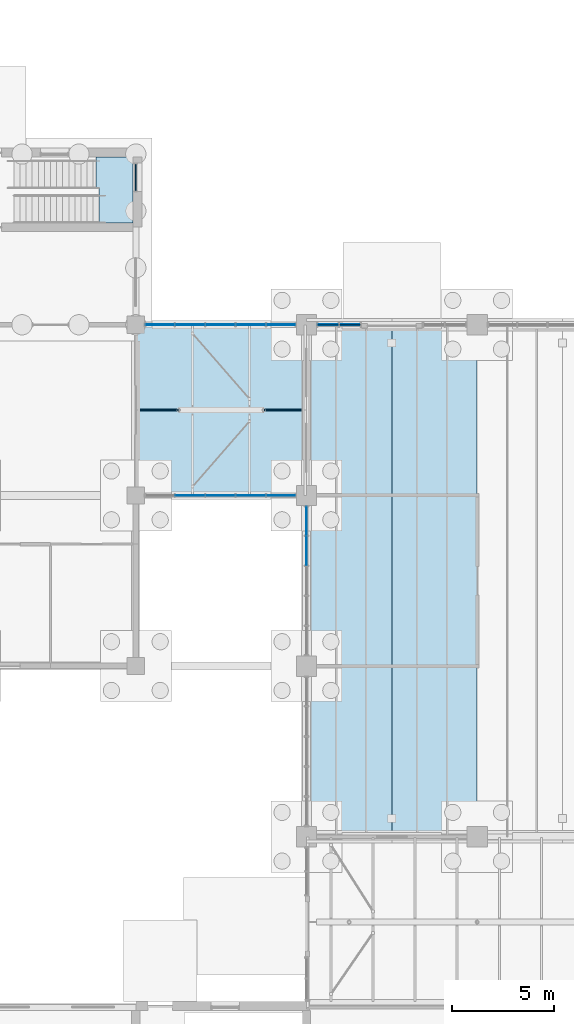
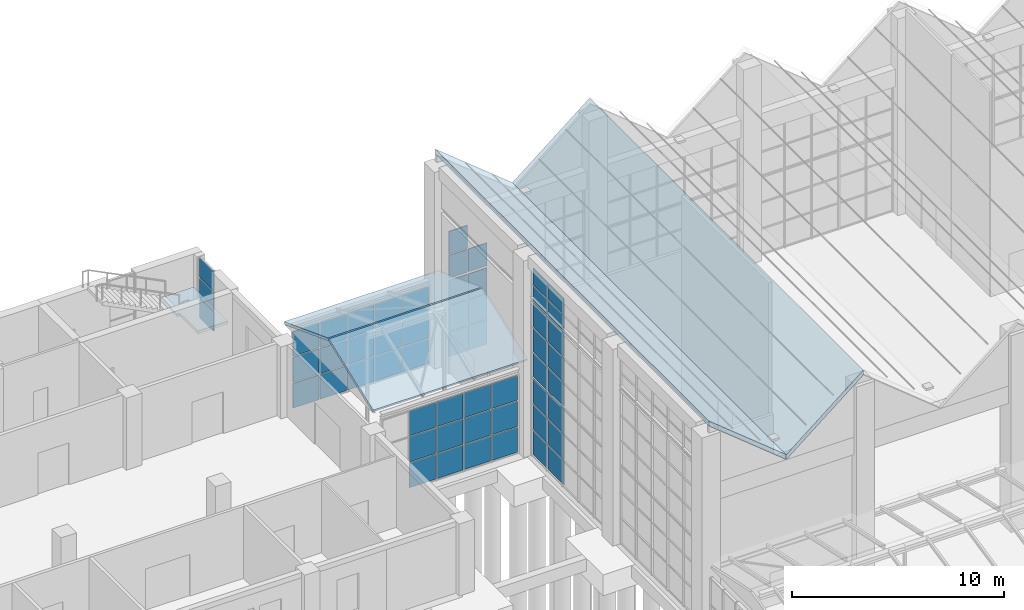
# One storey, part 83 of 138: 55 plates, 5 slabs, 9 elements without a shape of their own.
"""IFC4 building model written with IfcOpenShell, lengths in metres."""

from ifc_helpers import new_model, si_unit, direction, frame, origin, origin_2d, place, context, subcontext, project, spatial, polyline, rectangle, outline, extrude, material, layer, layer_set, type_object, element, aggregate, save


model = new_model("IFC4")

# Units and contexts
model_context = context("Model", 3, precision=1e-05, world=origin(), true_north=direction((0.0, 1.0)))
body_context = subcontext(model_context, "Body", "Model", "MODEL_VIEW")
ifc_project = project(units=[si_unit("LENGTHUNIT", "METRE"), si_unit("AREAUNIT", "SQUARE_METRE"), si_unit("VOLUMEUNIT", "CUBIC_METRE"), si_unit("PLANEANGLEUNIT", "RADIAN"), si_unit("MASSUNIT", "GRAM", prefix="KILO")], contexts=[model_context])

# Site, building, storey
site_placement = place(None, origin())
site = spatial("IfcSite", under=ifc_project, at=site_placement, CompositionType="ELEMENT")
building_placement = place(site_placement, origin())
building = spatial("IfcBuilding", under=site, at=building_placement, Name="Yavir Park General Hospital", CompositionType="ELEMENT")
storey_placement = place(building_placement, origin())
storey = spatial("IfcBuildingStorey", under=building, at=storey_placement, Name="L00", CompositionType="ELEMENT", Elevation=0.0)

# Curtain wall, plates
ifc_material_1 = material(Name="Aluminium curtain wall frame with insulated glazing", Category="aluminium")
curtain_wall_type_1 = type_object("IfcCurtainWallType", Name="Glazed link walls, 4525 high, 1400 module", PredefinedType="NOTDEFINED", material=ifc_material_1)
curtain_wall_1_placement = place(storey_placement, origin())
curtain_wall_1 = element("IfcCurtainWall", 1, at=curtain_wall_1_placement, inside=storey, type_object=curtain_wall_type_1, Name="CW38 L00-017", PredefinedType="NOTDEFINED")
ifc_material_2 = material(Name="Solar-control insulated glazed unit 40 mm")
ifc_layer_1 = layer(ifc_material_2, 0.0400390625)
ifc_layer_set_1 = layer_set([ifc_layer_1], Name="Solar-control insulated glazed unit 40 mm")
plate_type_1 = type_object("IfcPlateType", Name="Glazed link walls, 4525 high panel 40", PredefinedType="CURTAIN_PANEL", material=ifc_layer_set_1)
plate_1_placement = place(storey_placement, frame((69.867431640625, 58.800048828125, 0.06005859375), z_axis=(0.0, 0.0, 1.0), x_axis=(1.0, 0.0, 0.0)))
plate_1 = element("IfcPlate", 2, at=plate_1_placement, type_object=plate_type_1, Name="CW38 panel 2.1", PredefinedType="CURTAIN_PANEL", context=body_context, shape_type="SweptSolid", body=[
    extrude(rectangle(XDim=1.43505859375, YDim=0.0400390625, at=origin_2d()), origin(), (0.0, 0.0, 1.0), 1.418212890625),
])
plate_2_placement = place(storey_placement, frame((69.867431640625, 58.800048828125, 1.538330078125), z_axis=(0.0, 0.0, 1.0), x_axis=(1.0, 0.0, 0.0)))
plate_2 = element("IfcPlate", 3, at=plate_2_placement, type_object=plate_type_1, Name="CW38 panel 2.2", PredefinedType="CURTAIN_PANEL", context=body_context, shape_type="SweptSolid", body=[
    extrude(rectangle(XDim=1.43505859375, YDim=0.0400390625, at=origin_2d()), origin(), (0.0, 0.0, 1.0), 1.4482421875),
])
plate_3_placement = place(storey_placement, frame((69.867431640625, 58.800048828125, 3.046875), z_axis=(0.0, 0.0, 1.0), x_axis=(1.0, 0.0, 0.0)))
plate_3 = element("IfcPlate", 4, at=plate_3_placement, type_object=plate_type_1, Name="CW38 panel 2.3", PredefinedType="CURTAIN_PANEL", context=body_context, shape_type="SweptSolid", body=[
    extrude(rectangle(XDim=1.43505859375, YDim=0.0400390625, at=origin_2d()), origin(), (0.0, 0.0, 1.0), 1.418212890625),
])
plate_4_placement = place(storey_placement, frame((71.362548828125, 58.800048828125, 0.06005859375), z_axis=(0.0, 0.0, 1.0), x_axis=(1.0, 0.0, 0.0)))
plate_4 = element("IfcPlate", 5, at=plate_4_placement, type_object=plate_type_1, Name="CW38 panel 3.1", PredefinedType="CURTAIN_PANEL", context=body_context, shape_type="SweptSolid", body=[
    extrude(rectangle(XDim=1.43505859375, YDim=0.0400390625, at=origin_2d()), origin(), (0.0, 0.0, 1.0), 1.418212890625),
])
plate_5_placement = place(storey_placement, frame((71.362548828125, 58.800048828125, 1.538330078125), z_axis=(0.0, 0.0, 1.0), x_axis=(1.0, 0.0, 0.0)))
plate_5 = element("IfcPlate", 6, at=plate_5_placement, type_object=plate_type_1, Name="CW38 panel 3.2", PredefinedType="CURTAIN_PANEL", context=body_context, shape_type="SweptSolid", body=[
    extrude(rectangle(XDim=1.43505859375, YDim=0.0400390625, at=origin_2d()), origin(), (0.0, 0.0, 1.0), 1.4482421875),
])
plate_6_placement = place(storey_placement, frame((71.362548828125, 58.800048828125, 3.046875), z_axis=(0.0, 0.0, 1.0), x_axis=(1.0, 0.0, 0.0)))
plate_6 = element("IfcPlate", 7, at=plate_6_placement, type_object=plate_type_1, Name="CW38 panel 3.3", PredefinedType="CURTAIN_PANEL", context=body_context, shape_type="SweptSolid", body=[
    extrude(rectangle(XDim=1.43505859375, YDim=0.0400390625, at=origin_2d()), origin(), (0.0, 0.0, 1.0), 1.418212890625),
])
plate_7_placement = place(storey_placement, frame((72.857421875, 58.800048828125, 0.06005859375), z_axis=(0.0, 0.0, 1.0), x_axis=(1.0, 0.0, 0.0)))
plate_7 = element("IfcPlate", 8, at=plate_7_placement, type_object=plate_type_1, Name="CW38 panel 4.1", PredefinedType="CURTAIN_PANEL", context=body_context, shape_type="SweptSolid", body=[
    extrude(rectangle(XDim=1.43505859375, YDim=0.0400390625, at=origin_2d()), origin(), (0.0, 0.0, 1.0), 1.418212890625),
])
plate_8_placement = place(storey_placement, frame((72.857421875, 58.800048828125, 1.538330078125), z_axis=(0.0, 0.0, 1.0), x_axis=(1.0, 0.0, 0.0)))
plate_8 = element("IfcPlate", 9, at=plate_8_placement, type_object=plate_type_1, Name="CW38 panel 4.2", PredefinedType="CURTAIN_PANEL", context=body_context, shape_type="SweptSolid", body=[
    extrude(rectangle(XDim=1.43505859375, YDim=0.0400390625, at=origin_2d()), origin(), (0.0, 0.0, 1.0), 1.4482421875),
])
plate_9_placement = place(storey_placement, frame((72.857421875, 58.800048828125, 3.046875), z_axis=(0.0, 0.0, 1.0), x_axis=(1.0, 0.0, 0.0)))
plate_9 = element("IfcPlate", 10, at=plate_9_placement, type_object=plate_type_1, Name="CW38 panel 4.3", PredefinedType="CURTAIN_PANEL", context=body_context, shape_type="SweptSolid", body=[
    extrude(rectangle(XDim=1.43505859375, YDim=0.0400390625, at=origin_2d()), origin(), (0.0, 0.0, 1.0), 1.418212890625),
])
plate_10_placement = place(storey_placement, frame((74.33740234375, 58.800048828125, 0.06005859375), z_axis=(0.0, 0.0, 1.0), x_axis=(1.0, 0.0, 0.0)))
plate_10 = element("IfcPlate", 11, at=plate_10_placement, type_object=plate_type_1, Name="CW38 panel 5.1", PredefinedType="CURTAIN_PANEL", context=body_context, shape_type="SweptSolid", body=[
    extrude(rectangle(XDim=1.405029296875, YDim=0.0400390625, at=origin_2d()), origin(), (0.0, 0.0, 1.0), 1.418212890625),
])
plate_11_placement = place(storey_placement, frame((74.33740234375, 58.800048828125, 1.538330078125), z_axis=(0.0, 0.0, 1.0), x_axis=(1.0, 0.0, 0.0)))
plate_11 = element("IfcPlate", 12, at=plate_11_placement, type_object=plate_type_1, Name="CW38 panel 5.2", PredefinedType="CURTAIN_PANEL", context=body_context, shape_type="SweptSolid", body=[
    extrude(rectangle(XDim=1.405029296875, YDim=0.0400390625, at=origin_2d()), origin(), (0.0, 0.0, 1.0), 1.4482421875),
])
plate_12_placement = place(storey_placement, frame((74.33740234375, 58.800048828125, 3.046875), z_axis=(0.0, 0.0, 1.0), x_axis=(1.0, 0.0, 0.0)))
plate_12 = element("IfcPlate", 13, at=plate_12_placement, type_object=plate_type_1, Name="CW38 panel 5.3", PredefinedType="CURTAIN_PANEL", context=body_context, shape_type="SweptSolid", body=[
    extrude(rectangle(XDim=1.405029296875, YDim=0.0400390625, at=origin_2d()), origin(), (0.0, 0.0, 1.0), 1.418212890625),
])
aggregate(curtain_wall_1, [plate_1, plate_2, plate_3, plate_4, plate_5, plate_6, plate_7, plate_8, plate_9, plate_10, plate_11, plate_12])

curtain_wall_2_placement = place(storey_placement, origin())
curtain_wall_2 = element("IfcCurtainWall", 14, at=curtain_wall_2_placement, inside=storey, type_object=curtain_wall_type_1, Name="CW38 L00-022", PredefinedType="NOTDEFINED")
plate_13_placement = place(storey_placement, frame((68.387451171875, 67.199951171875, 0.06005859375), z_axis=(0.0, 0.0, 1.0), x_axis=(1.0, 0.0, 0.0)))
plate_13 = element("IfcPlate", 15, at=plate_13_placement, type_object=plate_type_1, Name="CW38 panel 1.1", PredefinedType="CURTAIN_PANEL", context=body_context, shape_type="SweptSolid", body=[
    extrude(rectangle(XDim=1.405029296875, YDim=0.0400390625, at=origin_2d()), origin(), (0.0, 0.0, 1.0), 1.418212890625),
])
plate_14_placement = place(storey_placement, frame((68.387451171875, 67.199951171875, 1.538330078125), z_axis=(0.0, 0.0, 1.0), x_axis=(1.0, 0.0, 0.0)))
plate_14 = element("IfcPlate", 16, at=plate_14_placement, type_object=plate_type_1, Name="CW38 panel 1.2", PredefinedType="CURTAIN_PANEL", context=body_context, shape_type="SweptSolid", body=[
    extrude(rectangle(XDim=1.405029296875, YDim=0.0400390625, at=origin_2d()), origin(), (0.0, 0.0, 1.0), 1.4482421875),
])
plate_15_placement = place(storey_placement, frame((68.387451171875, 67.199951171875, 3.046875), z_axis=(0.0, 0.0, 1.0), x_axis=(1.0, 0.0, 0.0)))
plate_15 = element("IfcPlate", 17, at=plate_15_placement, type_object=plate_type_1, Name="CW38 panel 1.3", PredefinedType="CURTAIN_PANEL", context=body_context, shape_type="SweptSolid", body=[
    extrude(rectangle(XDim=1.405029296875, YDim=0.0400390625, at=origin_2d()), origin(), (0.0, 0.0, 1.0), 1.418212890625),
])
plate_16_placement = place(storey_placement, frame((69.867431640625, 67.199951171875, 0.06005859375), z_axis=(0.0, 0.0, 1.0), x_axis=(1.0, 0.0, 0.0)))
plate_16 = element("IfcPlate", 18, at=plate_16_placement, type_object=plate_type_1, Name="CW38 panel 2.1", PredefinedType="CURTAIN_PANEL", context=body_context, shape_type="SweptSolid", body=[
    extrude(rectangle(XDim=1.43505859375, YDim=0.0400390625, at=origin_2d()), origin(), (0.0, 0.0, 1.0), 1.418212890625),
])
plate_17_placement = place(storey_placement, frame((69.867431640625, 67.199951171875, 1.538330078125), z_axis=(0.0, 0.0, 1.0), x_axis=(1.0, 0.0, 0.0)))
plate_17 = element("IfcPlate", 19, at=plate_17_placement, type_object=plate_type_1, Name="CW38 panel 2.2", PredefinedType="CURTAIN_PANEL", context=body_context, shape_type="SweptSolid", body=[
    extrude(rectangle(XDim=1.43505859375, YDim=0.0400390625, at=origin_2d()), origin(), (0.0, 0.0, 1.0), 1.4482421875),
])
plate_18_placement = place(storey_placement, frame((69.867431640625, 67.199951171875, 3.046875), z_axis=(0.0, 0.0, 1.0), x_axis=(1.0, 0.0, 0.0)))
plate_18 = element("IfcPlate", 20, at=plate_18_placement, type_object=plate_type_1, Name="CW38 panel 2.3", PredefinedType="CURTAIN_PANEL", context=body_context, shape_type="SweptSolid", body=[
    extrude(rectangle(XDim=1.43505859375, YDim=0.0400390625, at=origin_2d()), origin(), (0.0, 0.0, 1.0), 1.418212890625),
])
plate_19_placement = place(storey_placement, frame((71.362548828125, 67.199951171875, 0.06005859375), z_axis=(0.0, 0.0, 1.0), x_axis=(1.0, 0.0, 0.0)))
plate_19 = element("IfcPlate", 21, at=plate_19_placement, type_object=plate_type_1, Name="CW38 panel 3.1", PredefinedType="CURTAIN_PANEL", context=body_context, shape_type="SweptSolid", body=[
    extrude(rectangle(XDim=1.43505859375, YDim=0.0400390625, at=origin_2d()), origin(), (0.0, 0.0, 1.0), 1.418212890625),
])
plate_20_placement = place(storey_placement, frame((71.362548828125, 67.199951171875, 1.538330078125), z_axis=(0.0, 0.0, 1.0), x_axis=(1.0, 0.0, 0.0)))
plate_20 = element("IfcPlate", 22, at=plate_20_placement, type_object=plate_type_1, Name="CW38 panel 3.2", PredefinedType="CURTAIN_PANEL", context=body_context, shape_type="SweptSolid", body=[
    extrude(rectangle(XDim=1.43505859375, YDim=0.0400390625, at=origin_2d()), origin(), (0.0, 0.0, 1.0), 1.4482421875),
])
plate_21_placement = place(storey_placement, frame((71.362548828125, 67.199951171875, 3.046875), z_axis=(0.0, 0.0, 1.0), x_axis=(1.0, 0.0, 0.0)))
plate_21 = element("IfcPlate", 23, at=plate_21_placement, type_object=plate_type_1, Name="CW38 panel 3.3", PredefinedType="CURTAIN_PANEL", context=body_context, shape_type="SweptSolid", body=[
    extrude(rectangle(XDim=1.43505859375, YDim=0.0400390625, at=origin_2d()), origin(), (0.0, 0.0, 1.0), 1.418212890625),
])
plate_22_placement = place(storey_placement, frame((72.857421875, 67.199951171875, 0.06005859375), z_axis=(0.0, 0.0, 1.0), x_axis=(1.0, 0.0, 0.0)))
plate_22 = element("IfcPlate", 24, at=plate_22_placement, type_object=plate_type_1, Name="CW38 panel 4.1", PredefinedType="CURTAIN_PANEL", context=body_context, shape_type="SweptSolid", body=[
    extrude(rectangle(XDim=1.43505859375, YDim=0.0400390625, at=origin_2d()), origin(), (0.0, 0.0, 1.0), 1.418212890625),
])
plate_23_placement = place(storey_placement, frame((72.857421875, 67.199951171875, 1.538330078125), z_axis=(0.0, 0.0, 1.0), x_axis=(1.0, 0.0, 0.0)))
plate_23 = element("IfcPlate", 25, at=plate_23_placement, type_object=plate_type_1, Name="CW38 panel 4.2", PredefinedType="CURTAIN_PANEL", context=body_context, shape_type="SweptSolid", body=[
    extrude(rectangle(XDim=1.43505859375, YDim=0.0400390625, at=origin_2d()), origin(), (0.0, 0.0, 1.0), 1.4482421875),
])
plate_24_placement = place(storey_placement, frame((72.857421875, 67.199951171875, 3.046875), z_axis=(0.0, 0.0, 1.0), x_axis=(1.0, 0.0, 0.0)))
plate_24 = element("IfcPlate", 26, at=plate_24_placement, type_object=plate_type_1, Name="CW38 panel 4.3", PredefinedType="CURTAIN_PANEL", context=body_context, shape_type="SweptSolid", body=[
    extrude(rectangle(XDim=1.43505859375, YDim=0.0400390625, at=origin_2d()), origin(), (0.0, 0.0, 1.0), 1.418212890625),
])
plate_25_placement = place(storey_placement, frame((74.33740234375, 67.199951171875, 0.06005859375), z_axis=(0.0, 0.0, 1.0), x_axis=(1.0, 0.0, 0.0)))
plate_25 = element("IfcPlate", 27, at=plate_25_placement, type_object=plate_type_1, Name="CW38 panel 5.1", PredefinedType="CURTAIN_PANEL", context=body_context, shape_type="SweptSolid", body=[
    extrude(rectangle(XDim=1.405029296875, YDim=0.0400390625, at=origin_2d()), origin(), (0.0, 0.0, 1.0), 1.418212890625),
])
plate_26_placement = place(storey_placement, frame((74.33740234375, 67.199951171875, 1.538330078125), z_axis=(0.0, 0.0, 1.0), x_axis=(1.0, 0.0, 0.0)))
plate_26 = element("IfcPlate", 28, at=plate_26_placement, type_object=plate_type_1, Name="CW38 panel 5.2", PredefinedType="CURTAIN_PANEL", context=body_context, shape_type="SweptSolid", body=[
    extrude(rectangle(XDim=1.405029296875, YDim=0.0400390625, at=origin_2d()), origin(), (0.0, 0.0, 1.0), 1.4482421875),
])
plate_27_placement = place(storey_placement, frame((74.33740234375, 67.199951171875, 3.046875), z_axis=(0.0, 0.0, 1.0), x_axis=(1.0, 0.0, 0.0)))
plate_27 = element("IfcPlate", 29, at=plate_27_placement, type_object=plate_type_1, Name="CW38 panel 5.3", PredefinedType="CURTAIN_PANEL", context=body_context, shape_type="SweptSolid", body=[
    extrude(rectangle(XDim=1.405029296875, YDim=0.0400390625, at=origin_2d()), origin(), (0.0, 0.0, 1.0), 1.418212890625),
])
aggregate(curtain_wall_2, [plate_13, plate_14, plate_15, plate_16, plate_17, plate_18, plate_19, plate_20, plate_21, plate_22, plate_23, plate_24, plate_25, plate_26, plate_27])

ifc_material_3 = material(Name="Aluminium curtain wall frame with insulated glazing", Category="aluminium")
curtain_wall_type_2 = type_object("IfcCurtainWallType", Name="Main hall glazing, clerestory band, 1970 high, 1400 module", PredefinedType="NOTDEFINED", material=ifc_material_3)
curtain_wall_3_placement = place(storey_placement, origin())
curtain_wall_3 = element("IfcCurtainWall", 30, at=curtain_wall_3_placement, inside=storey, type_object=curtain_wall_type_2, Name="CW35 L00-055", PredefinedType="NOTDEFINED")
ifc_material_4 = material(Name="Insulated glazed unit 30 mm, low-e coating")
ifc_layer_2 = layer(ifc_material_4, 0.0400390625)
ifc_layer_set_2 = layer_set([ifc_layer_2], Name="Insulated glazed unit 30 mm, low-e coating")
plate_type_2 = type_object("IfcPlateType", Name="Main hall glazing, clerestory band, 1970 high panel 40", PredefinedType="CURTAIN_PANEL", material=ifc_layer_set_2)
plate_28_placement = place(storey_placement, frame((75.60009765625, 56.080078125, 8.89501953125), z_axis=(0.0, 0.0, 1.0), x_axis=(0.0, 1.0, 0.0)))
plate_28 = element("IfcPlate", 31, at=plate_28_placement, type_object=plate_type_2, Name="CW35 panel 4.1", PredefinedType="CURTAIN_PANEL", context=body_context, shape_type="SweptSolid", body=[
    extrude(rectangle(XDim=1.429931640625, YDim=0.0400390625, at=origin_2d()), origin(), (0.0, 0.0, 1.0), 0.909912109375),
])
plate_29_placement = place(storey_placement, frame((75.60009765625, 56.080078125, 9.85498046875), z_axis=(0.0, 0.0, 1.0), x_axis=(0.0, 1.0, 0.0)))
plate_29 = element("IfcPlate", 32, at=plate_29_placement, type_object=plate_type_2, Name="CW35 panel 4.2", PredefinedType="CURTAIN_PANEL", context=body_context, shape_type="SweptSolid", body=[
    extrude(rectangle(XDim=1.429931640625, YDim=0.0400390625, at=origin_2d()), origin(), (0.0, 0.0, 1.0), 0.909912109375),
])
plate_30_placement = place(storey_placement, frame((75.60009765625, 57.547607421875, 8.89501953125), z_axis=(0.0, 0.0, 1.0), x_axis=(0.0, 1.0, 0.0)))
plate_30 = element("IfcPlate", 33, at=plate_30_placement, type_object=plate_type_2, Name="CW35 panel 5.1", PredefinedType="CURTAIN_PANEL", context=body_context, shape_type="SweptSolid", body=[
    extrude(rectangle(XDim=1.405029296875, YDim=0.0400390625, at=origin_2d()), origin(), (0.0, 0.0, 1.0), 0.909912109375),
])
plate_31_placement = place(storey_placement, frame((75.60009765625, 57.547607421875, 9.85498046875), z_axis=(0.0, 0.0, 1.0), x_axis=(0.0, 1.0, 0.0)))
plate_31 = element("IfcPlate", 34, at=plate_31_placement, type_object=plate_type_2, Name="CW35 panel 5.2", PredefinedType="CURTAIN_PANEL", context=body_context, shape_type="SweptSolid", body=[
    extrude(rectangle(XDim=1.405029296875, YDim=0.0400390625, at=origin_2d()), origin(), (0.0, 0.0, 1.0), 0.909912109375),
])
aggregate(curtain_wall_3, [plate_28, plate_29, plate_30, plate_31])

ifc_material_5 = material(Name="Aluminium curtain wall frame with insulated glazing", Category="aluminium")
curtain_wall_type_3 = type_object("IfcCurtainWallType", Name="Main hall glazing, lower band, 4500 high, 1400 module", PredefinedType="NOTDEFINED", material=ifc_material_5)
curtain_wall_4_placement = place(storey_placement, origin())
curtain_wall_4 = element("IfcCurtainWall", 35, at=curtain_wall_4_placement, inside=storey, type_object=curtain_wall_type_3, Name="CW33 L00-023", PredefinedType="NOTDEFINED")
ifc_material_6 = material(Name="Solar-control insulated glazed unit 40 mm")
ifc_layer_3 = layer(ifc_material_6, 0.050048828125)
ifc_layer_set_3 = layer_set([ifc_layer_3], Name="Solar-control insulated glazed unit 40 mm")
plate_type_3 = type_object("IfcPlateType", Name="Main hall glazing, lower band, 4500 high panel 50", PredefinedType="CURTAIN_PANEL", material=ifc_layer_set_3)
plate_32_placement = place(storey_placement, frame((76.6650390625, 67.199951171875, 0.06005859375), z_axis=(0.0, 0.0, 1.0), x_axis=(1.0, 0.0, 0.0)))
plate_32 = element("IfcPlate", 36, at=plate_32_placement, type_object=plate_type_3, Name="CW33 panel 1.1", PredefinedType="CURTAIN_PANEL", context=body_context, shape_type="SweptSolid", body=[
    extrude(rectangle(XDim=1.010009765625, YDim=0.050048828125, at=origin_2d()), origin(), (0.0, 0.0, 1.0), 1.409912109375),
])
plate_33_placement = place(storey_placement, frame((76.6650390625, 67.199951171875, 1.530029296875), z_axis=(0.0, 0.0, 1.0), x_axis=(1.0, 0.0, 0.0)))
plate_33 = element("IfcPlate", 37, at=plate_33_placement, type_object=plate_type_3, Name="CW33 panel 1.2", PredefinedType="CURTAIN_PANEL", context=body_context, shape_type="SweptSolid", body=[
    extrude(rectangle(XDim=1.010009765625, YDim=0.050048828125, at=origin_2d()), origin(), (0.0, 0.0, 1.0), 1.43994140625),
])
plate_34_placement = place(storey_placement, frame((76.6650390625, 67.199951171875, 3.0302734375), z_axis=(0.0, 0.0, 1.0), x_axis=(1.0, 0.0, 0.0)))
plate_34 = element("IfcPlate", 38, at=plate_34_placement, type_object=plate_type_3, Name="CW33 panel 1.3", PredefinedType="CURTAIN_PANEL", context=body_context, shape_type="SweptSolid", body=[
    extrude(rectangle(XDim=1.010009765625, YDim=0.050048828125, at=origin_2d()), origin(), (0.0, 0.0, 1.0), 1.409912109375),
])
plate_35_placement = place(storey_placement, frame((77.735107421875, 67.199951171875, 0.06005859375), z_axis=(0.0, 0.0, 1.0), x_axis=(1.0, 0.0, 0.0)))
plate_35 = element("IfcPlate", 39, at=plate_35_placement, type_object=plate_type_3, Name="CW33 panel 2.1", PredefinedType="CURTAIN_PANEL", context=body_context, shape_type="SweptSolid", body=[
    extrude(rectangle(XDim=1.010009765625, YDim=0.050048828125, at=origin_2d()), origin(), (0.0, 0.0, 1.0), 1.409912109375),
])
plate_36_placement = place(storey_placement, frame((77.735107421875, 67.199951171875, 1.530029296875), z_axis=(0.0, 0.0, 1.0), x_axis=(1.0, 0.0, 0.0)))
plate_36 = element("IfcPlate", 40, at=plate_36_placement, type_object=plate_type_3, Name="CW33 panel 2.2", PredefinedType="CURTAIN_PANEL", context=body_context, shape_type="SweptSolid", body=[
    extrude(rectangle(XDim=1.010009765625, YDim=0.050048828125, at=origin_2d()), origin(), (0.0, 0.0, 1.0), 1.43994140625),
])
plate_37_placement = place(storey_placement, frame((77.735107421875, 67.199951171875, 3.0302734375), z_axis=(0.0, 0.0, 1.0), x_axis=(1.0, 0.0, 0.0)))
plate_37 = element("IfcPlate", 41, at=plate_37_placement, type_object=plate_type_3, Name="CW33 panel 2.3", PredefinedType="CURTAIN_PANEL", context=body_context, shape_type="SweptSolid", body=[
    extrude(rectangle(XDim=1.010009765625, YDim=0.050048828125, at=origin_2d()), origin(), (0.0, 0.0, 1.0), 1.409912109375),
])
aggregate(curtain_wall_4, [plate_32, plate_33, plate_34, plate_35, plate_36, plate_37])

curtain_wall_5_placement = place(storey_placement, origin())
curtain_wall_5 = element("IfcCurtainWall", 42, at=curtain_wall_5_placement, inside=storey, type_object=curtain_wall_type_3, Name="CW33 L00-053", PredefinedType="NOTDEFINED")
plate_38_placement = place(storey_placement, frame((75.60009765625, 56.080078125, 0.06005859375), z_axis=(0.0, 0.0, 1.0), x_axis=(0.0, 1.0, 0.0)))
plate_38 = element("IfcPlate", 43, at=plate_38_placement, type_object=plate_type_3, Name="CW33 panel 4.1", PredefinedType="CURTAIN_PANEL", context=body_context, shape_type="SweptSolid", body=[
    extrude(rectangle(XDim=1.419921875, YDim=0.050048828125, at=origin_2d()), origin(), (0.0, 0.0, 1.0), 1.409912109375),
])
plate_39_placement = place(storey_placement, frame((75.60009765625, 56.080078125, 1.530029296875), z_axis=(0.0, 0.0, 1.0), x_axis=(0.0, 1.0, 0.0)))
plate_39 = element("IfcPlate", 44, at=plate_39_placement, type_object=plate_type_3, Name="CW33 panel 4.2", PredefinedType="CURTAIN_PANEL", context=body_context, shape_type="SweptSolid", body=[
    extrude(rectangle(XDim=1.419921875, YDim=0.050048828125, at=origin_2d()), origin(), (0.0, 0.0, 1.0), 1.43994140625),
])
plate_40_placement = place(storey_placement, frame((75.60009765625, 56.080078125, 3.0302734375), z_axis=(0.0, 0.0, 1.0), x_axis=(0.0, 1.0, 0.0)))
plate_40 = element("IfcPlate", 45, at=plate_40_placement, type_object=plate_type_3, Name="CW33 panel 4.3", PredefinedType="CURTAIN_PANEL", context=body_context, shape_type="SweptSolid", body=[
    extrude(rectangle(XDim=1.419921875, YDim=0.050048828125, at=origin_2d()), origin(), (0.0, 0.0, 1.0), 1.409912109375),
])
plate_41_placement = place(storey_placement, frame((75.60009765625, 57.544921875, 0.06005859375), z_axis=(0.0, 0.0, 1.0), x_axis=(0.0, 1.0, 0.0)))
plate_41 = element("IfcPlate", 46, at=plate_41_placement, type_object=plate_type_3, Name="CW33 panel 5.1", PredefinedType="CURTAIN_PANEL", context=body_context, shape_type="SweptSolid", body=[
    extrude(rectangle(XDim=1.389892578125, YDim=0.050048828125, at=origin_2d()), origin(), (0.0, 0.0, 1.0), 1.409912109375),
])
plate_42_placement = place(storey_placement, frame((75.60009765625, 57.544921875, 1.530029296875), z_axis=(0.0, 0.0, 1.0), x_axis=(0.0, 1.0, 0.0)))
plate_42 = element("IfcPlate", 47, at=plate_42_placement, type_object=plate_type_3, Name="CW33 panel 5.2", PredefinedType="CURTAIN_PANEL", context=body_context, shape_type="SweptSolid", body=[
    extrude(rectangle(XDim=1.389892578125, YDim=0.050048828125, at=origin_2d()), origin(), (0.0, 0.0, 1.0), 1.43994140625),
])
plate_43_placement = place(storey_placement, frame((75.60009765625, 57.544921875, 3.0302734375), z_axis=(0.0, 0.0, 1.0), x_axis=(0.0, 1.0, 0.0)))
plate_43 = element("IfcPlate", 48, at=plate_43_placement, type_object=plate_type_3, Name="CW33 panel 5.3", PredefinedType="CURTAIN_PANEL", context=body_context, shape_type="SweptSolid", body=[
    extrude(rectangle(XDim=1.389892578125, YDim=0.050048828125, at=origin_2d()), origin(), (0.0, 0.0, 1.0), 1.409912109375),
])
aggregate(curtain_wall_5, [plate_38, plate_39, plate_40, plate_41, plate_42, plate_43])

ifc_material_7 = material(Name="Aluminium curtain wall frame with insulated glazing", Category="aluminium")
curtain_wall_type_4 = type_object("IfcCurtainWallType", Name="Main hall glazing, upper band, 2817 high, 1400 module", PredefinedType="NOTDEFINED", material=ifc_material_7)
curtain_wall_6_placement = place(storey_placement, origin())
curtain_wall_6 = element("IfcCurtainWall", 49, at=curtain_wall_6_placement, inside=storey, type_object=curtain_wall_type_4, Name="CW34 L00-024", PredefinedType="NOTDEFINED")
ifc_material_8 = material(Name="Solar-control insulated glazed unit 40 mm")
ifc_layer_4 = layer(ifc_material_8, 0.0400390625)
ifc_layer_set_4 = layer_set([ifc_layer_4], Name="Solar-control insulated glazed unit 40 mm")
plate_type_4 = type_object("IfcPlateType", Name="Main hall glazing, upper band, 2817 high panel 40", PredefinedType="CURTAIN_PANEL", material=ifc_layer_set_4)
plate_44_placement = place(storey_placement, frame((76.6650390625, 67.199951171875, 4.56005859375), z_axis=(0.0, 0.0, 1.0), x_axis=(1.0, 0.0, 0.0)))
plate_44 = element("IfcPlate", 50, at=plate_44_placement, type_object=plate_type_4, Name="CW34 panel 1.1", PredefinedType="CURTAIN_PANEL", context=body_context, shape_type="SweptSolid", body=[
    extrude(rectangle(XDim=1.010009765625, YDim=0.0400390625, at=origin_2d()), origin(), (0.0, 0.0, 1.0), 1.318603515625),
])
plate_45_placement = place(storey_placement, frame((76.6650390625, 67.199951171875, 5.9384765625), z_axis=(0.0, 0.0, 1.0), x_axis=(1.0, 0.0, 0.0)))
plate_45 = element("IfcPlate", 51, at=plate_45_placement, type_object=plate_type_4, Name="CW34 panel 1.2", PredefinedType="CURTAIN_PANEL", context=body_context, shape_type="SweptSolid", body=[
    extrude(rectangle(XDim=1.010009765625, YDim=0.0400390625, at=origin_2d()), origin(), (0.0, 0.0, 1.0), 1.318603515625),
])
plate_46_placement = place(storey_placement, frame((77.735107421875, 67.199951171875, 4.56005859375), z_axis=(0.0, 0.0, 1.0), x_axis=(1.0, 0.0, 0.0)))
plate_46 = element("IfcPlate", 52, at=plate_46_placement, type_object=plate_type_4, Name="CW34 panel 2.1", PredefinedType="CURTAIN_PANEL", context=body_context, shape_type="SweptSolid", body=[
    extrude(rectangle(XDim=1.010009765625, YDim=0.0400390625, at=origin_2d()), origin(), (0.0, 0.0, 1.0), 1.318603515625),
])
aggregate(curtain_wall_6, [plate_44, plate_45, plate_46])

ifc_material_9 = material(Name="Aluminium curtain wall frame with insulated glazing", Category="aluminium")
curtain_wall_type_5 = type_object("IfcCurtainWallType", Name="Main hall glazing, upper band, 4345 high, 1400 module", PredefinedType="NOTDEFINED", material=ifc_material_9)
curtain_wall_7_placement = place(storey_placement, origin())
curtain_wall_7 = element("IfcCurtainWall", 53, at=curtain_wall_7_placement, inside=storey, type_object=curtain_wall_type_5, Name="CW52 L00-054", PredefinedType="NOTDEFINED")
ifc_material_10 = material(Name="Solar-control insulated glazed unit 40 mm")
ifc_layer_5 = layer(ifc_material_10, 0.0400390625)
ifc_layer_set_5 = layer_set([ifc_layer_5], Name="Solar-control insulated glazed unit 40 mm")
plate_type_5 = type_object("IfcPlateType", Name="Main hall glazing, upper band, 4345 high panel 40", PredefinedType="CURTAIN_PANEL", material=ifc_layer_set_5)
plate_47_placement = place(storey_placement, frame((75.60009765625, 56.080078125, 4.56005859375), z_axis=(0.0, 0.0, 1.0), x_axis=(0.0, 1.0, 0.0)))
plate_47 = element("IfcPlate", 54, at=plate_47_placement, type_object=plate_type_5, Name="CW52 panel 4.1", PredefinedType="CURTAIN_PANEL", context=body_context, shape_type="SweptSolid", body=[
    extrude(rectangle(XDim=1.419921875, YDim=0.0400390625, at=origin_2d()), origin(), (0.0, 0.0, 1.0), 1.3583984375),
])
plate_48_placement = place(storey_placement, frame((75.60009765625, 56.080078125, 5.978515625), z_axis=(0.0, 0.0, 1.0), x_axis=(0.0, 1.0, 0.0)))
plate_48 = element("IfcPlate", 55, at=plate_48_placement, type_object=plate_type_5, Name="CW52 panel 4.2", PredefinedType="CURTAIN_PANEL", context=body_context, shape_type="SweptSolid", body=[
    extrude(rectangle(XDim=1.419921875, YDim=0.0400390625, at=origin_2d()), origin(), (0.0, 0.0, 1.0), 1.388427734375),
])
plate_49_placement = place(storey_placement, frame((75.60009765625, 56.080078125, 7.426513671875), z_axis=(0.0, 0.0, 1.0), x_axis=(0.0, 1.0, 0.0)))
plate_49 = element("IfcPlate", 56, at=plate_49_placement, type_object=plate_type_5, Name="CW52 panel 4.3", PredefinedType="CURTAIN_PANEL", context=body_context, shape_type="SweptSolid", body=[
    extrude(rectangle(XDim=1.419921875, YDim=0.0400390625, at=origin_2d()), origin(), (0.0, 0.0, 1.0), 1.3583984375),
])
plate_50_placement = place(storey_placement, frame((75.60009765625, 57.544921875, 4.56005859375), z_axis=(0.0, 0.0, 1.0), x_axis=(0.0, 1.0, 0.0)))
plate_50 = element("IfcPlate", 57, at=plate_50_placement, type_object=plate_type_5, Name="CW52 panel 5.1", PredefinedType="CURTAIN_PANEL", context=body_context, shape_type="SweptSolid", body=[
    extrude(rectangle(XDim=1.389892578125, YDim=0.0400390625, at=origin_2d()), origin(), (0.0, 0.0, 1.0), 1.3583984375),
])
plate_51_placement = place(storey_placement, frame((75.60009765625, 57.544921875, 5.978515625), z_axis=(0.0, 0.0, 1.0), x_axis=(0.0, 1.0, 0.0)))
plate_51 = element("IfcPlate", 58, at=plate_51_placement, type_object=plate_type_5, Name="CW52 panel 5.2", PredefinedType="CURTAIN_PANEL", context=body_context, shape_type="SweptSolid", body=[
    extrude(rectangle(XDim=1.389892578125, YDim=0.0400390625, at=origin_2d()), origin(), (0.0, 0.0, 1.0), 1.388427734375),
])
plate_52_placement = place(storey_placement, frame((75.60009765625, 57.544921875, 7.426513671875), z_axis=(0.0, 0.0, 1.0), x_axis=(0.0, 1.0, 0.0)))
plate_52 = element("IfcPlate", 59, at=plate_52_placement, type_object=plate_type_5, Name="CW52 panel 5.3", PredefinedType="CURTAIN_PANEL", context=body_context, shape_type="SweptSolid", body=[
    extrude(rectangle(XDim=1.389892578125, YDim=0.0400390625, at=origin_2d()), origin(), (0.0, 0.0, 1.0), 1.3583984375),
])
aggregate(curtain_wall_7, [plate_47, plate_48, plate_49, plate_50, plate_51, plate_52])

# Stair, slab
ifc_material_11 = material(Name="Concrete C30/37", Category="concrete")
stair_type = type_object("IfcStairType", Name="Patient escape stair, 30 risers of 150 mm, 1400 mm flights", PredefinedType="HALF_TURN_STAIR", material=ifc_material_11)
stair_placement = place(storey_placement, origin())
stair = element("IfcStair", 60, at=stair_placement, inside=storey, type_object=stair_type, Name="Stair CS2, L00 to L01", PredefinedType="HALF_TURN_STAIR")
ifc_material_12 = material(Name="Concrete C30/37", Category="concrete")
ifc_layer_6 = layer(ifc_material_12, 0.159912109375)
ifc_layer_set_6 = layer_set([ifc_layer_6], Name="Concrete C30/37")
slab_type_1 = type_object("IfcSlabType", Name="Patient escape stair half landing, reinforced concrete 160 mm", PredefinedType="LANDING", material=ifc_layer_set_6)
slab_1_placement = place(storey_placement, frame((0.0, 0.0, 2.090087890625)))
slab_1 = element("IfcSlab", 61, at=slab_1_placement, type_object=slab_type_1, Name="CS2 landing 1", PredefinedType="LANDING", context=body_context, shape_type="SweptSolid", body=[
    extrude(outline(polyline([(65.3984375, 72.199951171875), (67.050048828125, 72.199951171875), (67.050048828125, 75.449951171875), (65.25, 75.449951171875), (65.25, 73.89990234375), (65.3984375, 73.89990234375), (65.3984375, 72.199951171875)])), origin(), (0.0, 0.0, 1.0), 0.159912109375),
])
aggregate(stair, [slab_1])

# Slabs
ifc_material_13 = material(Name="Concrete C35/45", Category="concrete")
ifc_layer_7 = layer(ifc_material_13, 0.219970703125)
ifc_layer_set_7 = layer_set([ifc_layer_7], Name="Concrete C35/45")
slab_type_2 = type_object("IfcSlabType", Name="RC SLAB ROOF 220", PredefinedType="ROOF", material=ifc_layer_set_7)
slab_2_placement = place(storey_placement, frame((75.60009765625, 41.699951171875, 12.0), z_axis=(0.0, 0.0, 1.0), x_axis=(1.0, 0.0, 0.0)))
element("IfcSlab", 62, at=slab_2_placement, inside=storey, type_object=slab_type_2, Name="RF:HALL:F01", PredefinedType="ROOF", context=body_context, shape_type="SweptSolid", body=[
    extrude(outline(polyline([(0.0, 0.0), (4.199951171875, -3.39990234375), (4.199951171875, -3.682861328125), (0.0, -0.282958984375), (0.0, 0.0)])), frame((0.0, 25.800048828125, 0.0), z_axis=(0.0, -1.0, 0.0), x_axis=(1.0, 0.0, 0.0)), (0.0, 0.0, 1.0), 25.800048828125),
])
slab_3_placement = place(storey_placement, frame((79.800048828125, 41.699951171875, 8.60009765625), z_axis=(0.0, 0.0, 1.0), x_axis=(1.0, 0.0, 0.0)))
element("IfcSlab", 63, at=slab_3_placement, inside=storey, type_object=slab_type_2, Name="RF:HALL:F02", PredefinedType="ROOF", context=body_context, shape_type="SweptSolid", body=[
    extrude(outline(polyline([(0.0, 0.0), (4.199951171875, 3.39990234375), (4.199951171875, 3.116943359375), (0.0, -0.282958984375), (0.0, 0.0)])), frame((0.0, 25.800048828125, 0.0), z_axis=(0.0, -1.0, 0.0), x_axis=(1.0, 0.0, 0.0)), (0.0, 0.0, 1.0), 25.800048828125),
])
ifc_material_14 = material(Name="Toughened safety glass", Category="glass")
ifc_layer_8 = layer(ifc_material_14, 0.14990234375)
ifc_layer_set_8 = layer_set([ifc_layer_8], Name="Toughened safety glass")
slab_type_3 = type_object("IfcSlabType", Name="Safety glass roof panel 150", PredefinedType="ROOF", material=ifc_layer_set_8)
for number, where, z_axis, x_axis, name in (
    (64, (67.199951171875, 58.800048828125, 5.199951171875), (0.0, -0.355990757172, 0.934489476028), (1.0, 0.0, 0.0), "Glazed link roof glazing LINK-S1"),
    (65, (67.199951171875, 63.04833984375, 6.781494140625), (0.0, 0.355990757172, 0.934489476028), (1.0, 0.0, 0.0), "Glazed link roof glazing LINK-N1"),
):
    element("IfcSlab", number, at=place(storey_placement, frame(where, z_axis=z_axis, x_axis=x_axis)), inside=storey, type_object=slab_type_3, Name=name, PredefinedType="ROOF", context=body_context, shape_type="SweptSolid", body=[
        extrude(outline(polyline([(0.0, 0.0), (8.400146484375, 0.0), (8.400146484375, 4.442651773639072), (0.0, 4.442651773639072), (0.0, 0.0)])), origin(), (0.0, 0.0, -1.0), 0.14990234375),
    ])

# Curtain wall, plates
ifc_material_15 = material(Name="Aluminium curtain wall frame with insulated glazing", Category="aluminium")
curtain_wall_type_6 = type_object("IfcCurtainWallType", Name="Stair light slot, ground floor, 3540 high, 1400 module", PredefinedType="NOTDEFINED", material=ifc_material_15)
curtain_wall_8_placement = place(storey_placement, origin())
curtain_wall_8 = element("IfcCurtainWall", 66, at=curtain_wall_8_placement, inside=storey, type_object=curtain_wall_type_6, Name="CW19 L00-047", PredefinedType="NOTDEFINED")
ifc_material_16 = material(Name="Impact-resistant glazed unit 60 mm")
ifc_layer_9 = layer(ifc_material_16, 0.06005859375)
ifc_layer_set_9 = layer_set([ifc_layer_9], Name="Impact-resistant glazed unit 60 mm")
plate_type_6 = type_object("IfcPlateType", Name="Stair light slot, ground floor, 3540 high panel 60", PredefinedType="CURTAIN_PANEL", material=ifc_layer_set_9)
plate_53_placement = place(storey_placement, frame((67.199951171875, 74.449951171875, 0.64990234375), z_axis=(0.0, 0.0, 1.0), x_axis=(0.0, 1.0, 0.0)))
plate_53 = element("IfcPlate", 67, at=plate_53_placement, type_object=plate_type_6, Name="CW19 panel 1.1", PredefinedType="CURTAIN_PANEL", context=body_context, shape_type="SweptSolid", body=[
    extrude(rectangle(XDim=1.300048828125, YDim=0.06005859375, at=origin_2d()), origin(), (0.0, 0.0, 1.0), 1.10498046875),
])
plate_54_placement = place(storey_placement, frame((67.199951171875, 74.449951171875, 1.80517578125), z_axis=(0.0, 0.0, 1.0), x_axis=(0.0, 1.0, 0.0)))
plate_54 = element("IfcPlate", 68, at=plate_54_placement, type_object=plate_type_6, Name="CW19 panel 1.2", PredefinedType="CURTAIN_PANEL", context=body_context, shape_type="SweptSolid", body=[
    extrude(rectangle(XDim=1.300048828125, YDim=0.06005859375, at=origin_2d()), origin(), (0.0, 0.0, 1.0), 1.1298828125),
])
plate_55_placement = place(storey_placement, frame((67.199951171875, 74.449951171875, 2.985107421875), z_axis=(0.0, 0.0, 1.0), x_axis=(0.0, 1.0, 0.0)))
plate_55 = element("IfcPlate", 69, at=plate_55_placement, type_object=plate_type_6, Name="CW19 panel 1.3", PredefinedType="CURTAIN_PANEL", context=body_context, shape_type="SweptSolid", body=[
    extrude(rectangle(XDim=1.300048828125, YDim=0.06005859375, at=origin_2d()), origin(), (0.0, 0.0, 1.0), 1.10498046875),
])
aggregate(curtain_wall_8, [plate_53, plate_54, plate_55])

save(model, "model.ifc")
